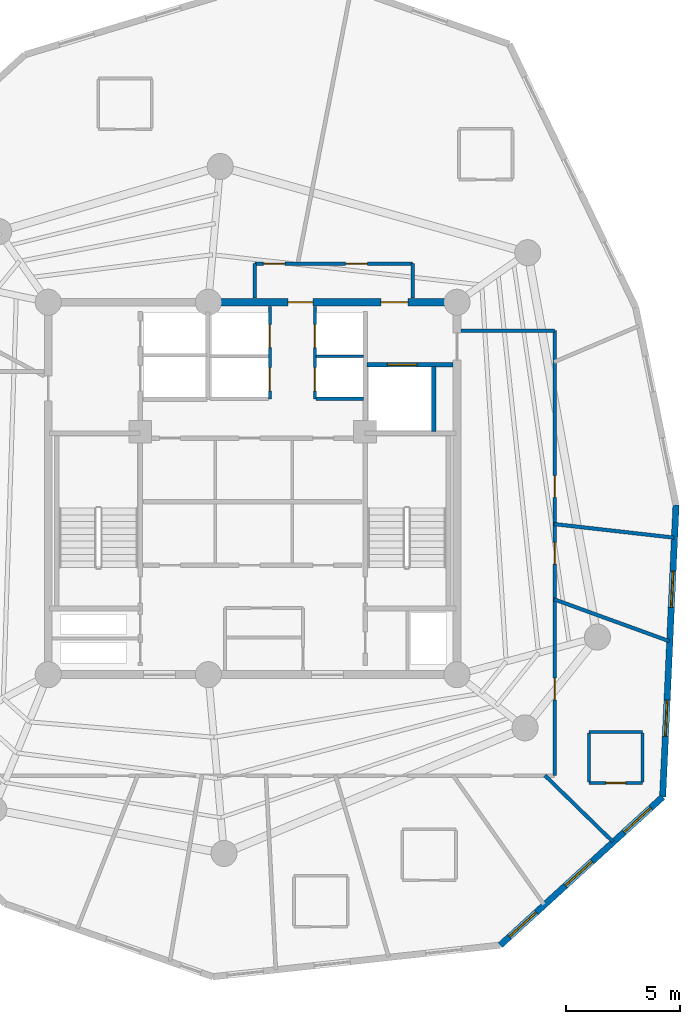
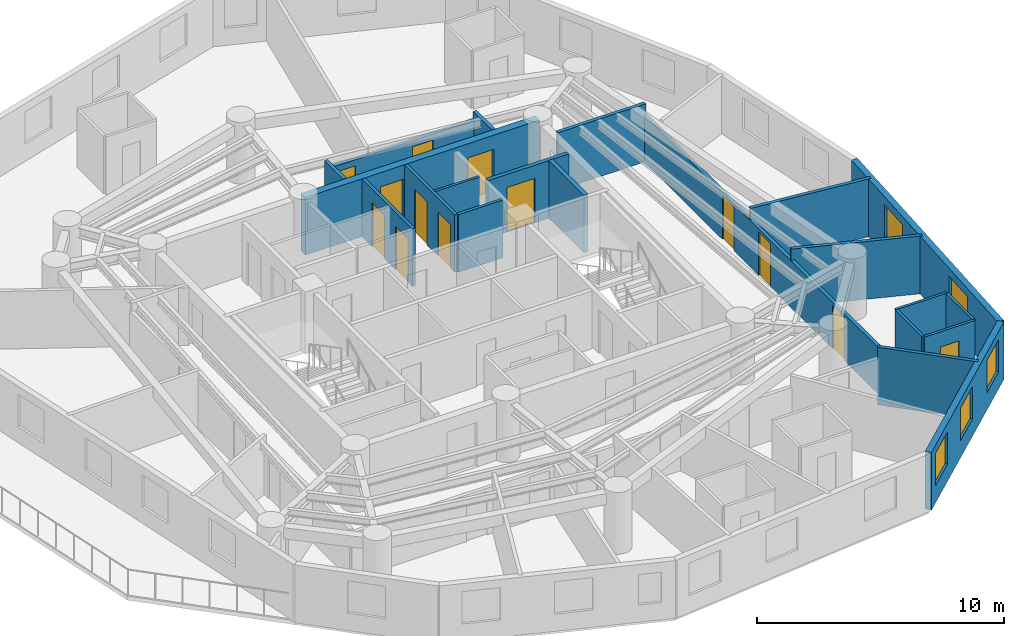
# One storey, part 5 of 8: 21 walls, 13 doors, 5 windows, 18 openings.
"""IFC4 building model written with IfcOpenShell, lengths in metres."""

from ifc_helpers import new_model, si_unit, direction, frame, frame_2d, origin, origin_with_axes, place, context, subcontext, project, spatial, rectangle, extrude, source, transform, mapped, material, layer, layer_set, type_object, element, fill, save


model = new_model("IFC4")

# Units and contexts
model_context = context("Model", 3, precision=1e-05, world=origin(), true_north=direction((0.0, 1.0)))
body_context = subcontext(model_context, "Body", "Model", "MODEL_VIEW")
ifc_project = project(units=[si_unit("LENGTHUNIT", "METRE"), si_unit("AREAUNIT", "SQUARE_METRE"), si_unit("VOLUMEUNIT", "CUBIC_METRE"), si_unit("PLANEANGLEUNIT", "RADIAN"), si_unit("MASSUNIT", "GRAM", prefix="KILO")], contexts=[model_context])

# Site, building, storey
site_placement = place(None, origin())
site = spatial("IfcSite", under=ifc_project, at=site_placement, CompositionType="ELEMENT")
building_placement = place(site_placement, origin())
building = spatial("IfcBuilding", under=site, at=building_placement, Name="Karkom Vertical University and Central Library", CompositionType="ELEMENT")
storey_placement = place(building_placement, frame((0.0, 0.0, 216.89990234375)))
storey = spatial("IfcBuildingStorey", under=building, at=storey_placement, Name="L63", CompositionType="ELEMENT", Elevation=216.89990234375)

# Wall, openings, windows
ifc_material_1 = material(Name="Brick-faced precast concrete C45/55", Category="masonry")
ifc_layer_1 = layer(ifc_material_1, 0.280029296875)
ifc_layer_set_1 = layer_set([ifc_layer_1], Name="Brick-faced precast concrete C45/55")
wall_type_1 = type_object("IfcWallType", Name="ENV-WL-BRK-280", PredefinedType="SOLIDWALL", material=ifc_layer_set_1)
wall_1_placement = place(storey_placement, frame((39.4033203125, 6.387939453125, 0.0), z_axis=(0.0, 0.0, 1.0), x_axis=(0.738681440001, 0.674054693774, 0.0)))
wall_1 = element("IfcWall", 1, at=wall_1_placement, inside=storey, type_object=wall_type_1, Name="Level 63 Brick-Faced Precast Facade Wall 04", PredefinedType="SOLIDWALL", context=body_context, shape_type="SweptSolid", body=[
    extrude(rectangle(XDim=9.682373046875, YDim=0.280029296875, at=frame_2d((4.84130859375, 0.0))), origin(), (0.0, 0.0, 1.0), 2.85009765625),
])
opening_1_placement = place(wall_1_placement, frame((0.547607421875, 0.0, 0.85009765625)))
opening_1 = element("IfcOpeningElement", 2, at=opening_1_placement, cuts=wall_1, Name="Opening WN-10", PredefinedType="OPENING", context=body_context, shape_type="SweptSolid", body=[
    extrude(rectangle(XDim=1.60009765625, YDim=1.60009765625, at=frame_2d((0.800048828125, 0.800048828125))), frame((0.0, 0.14990234375, 0.0), z_axis=(0.0, -1.0, 0.0), x_axis=(1.0, 0.0, 0.0)), (0.0, 0.0, 1.0), 0.300048828125),
])
opening_2_placement = place(wall_1_placement, frame((3.884521484375, 0.0, 0.85009765625)))
opening_2 = element("IfcOpeningElement", 3, at=opening_2_placement, cuts=wall_1, Name="Opening WN-10", PredefinedType="OPENING", context=body_context, shape_type="SweptSolid", body=[
    extrude(rectangle(XDim=1.60009765625, YDim=1.60009765625, at=frame_2d((0.800048828125, 0.800048828125))), frame((0.0, 0.14990234375, 0.0), z_axis=(0.0, -1.0, 0.0), x_axis=(1.0, 0.0, 0.0)), (0.0, 0.0, 1.0), 0.300048828125),
])
opening_3_placement = place(wall_1_placement, frame((7.378173828125, 0.0, 0.85009765625)))
opening_3 = element("IfcOpeningElement", 4, at=opening_3_placement, cuts=wall_1, Name="Opening WN-10", PredefinedType="OPENING", context=body_context, shape_type="SweptSolid", body=[
    extrude(rectangle(XDim=1.60009765625, YDim=1.60009765625, at=frame_2d((0.800048828125, 0.800048828125))), frame((0.0, 0.14990234375, 0.0), z_axis=(0.0, -1.0, 0.0), x_axis=(1.0, 0.0, 0.0)), (0.0, 0.0, 1.0), 0.300048828125),
])
ifc_material_2 = material(Name="Aluminium thermal-break frame with solar-control IGU", Category="aluminium")
window_type = type_object("IfcWindowType", Name="ENV-WIN-WN-10", PartitioningType="SINGLE_PANEL", PredefinedType="WINDOW", material=ifc_material_2)
shared_shape_1 = source(origin_with_axes(), body_context, "Body", "SweptSolid", [
    extrude(rectangle(XDim=1.60009765625, YDim=1.60009765625, at=frame_2d((0.800048828125, 0.800048828125))), frame((0.0, 0.030029296875, 0.0), z_axis=(0.0, -1.0, 0.0), x_axis=(1.0, 0.0, 0.0)), (0.0, 0.0, 1.0), 0.06005859375),
])
window_1_placement = place(opening_1_placement, origin())
window_1 = element("IfcWindow", 5, at=window_1_placement, inside=storey, type_object=window_type, Name="Level 63 Punched Window 4.1", OverallHeight=1.60009765625, OverallWidth=1.60009765625, PartitioningType="SINGLE_PANEL", PredefinedType="WINDOW", context=body_context, shape_type="MappedRepresentation", body=[
    mapped(shared_shape_1, transform((0.0, 0.0, 0.0), scale=1.0)),
])
fill(opening_1, window_1)
window_2_placement = place(opening_2_placement, origin())
window_2 = element("IfcWindow", 6, at=window_2_placement, inside=storey, type_object=window_type, Name="Level 63 Punched Window 4.2", OverallHeight=1.60009765625, OverallWidth=1.60009765625, PartitioningType="SINGLE_PANEL", PredefinedType="WINDOW", context=body_context, shape_type="MappedRepresentation", body=[
    mapped(shared_shape_1, transform((0.0, 0.0, 0.0), scale=1.0)),
])
fill(opening_2, window_2)
window_3_placement = place(opening_3_placement, origin())
window_3 = element("IfcWindow", 7, at=window_3_placement, inside=storey, type_object=window_type, Name="Level 63 Punched Window 4.3", OverallHeight=1.60009765625, OverallWidth=1.60009765625, PartitioningType="SINGLE_PANEL", PredefinedType="WINDOW", context=body_context, shape_type="MappedRepresentation", body=[
    mapped(shared_shape_1, transform((0.0, 0.0, 0.0), scale=1.0)),
])
fill(opening_3, window_3)

wall_2_placement = place(storey_placement, frame((46.555419921875, 12.914306640625, 0.0), z_axis=(0.0, 0.0, 1.0), x_axis=(0.045779275431, 0.998951579378, 0.0)))
wall_2 = element("IfcWall", 8, at=wall_2_placement, inside=storey, type_object=wall_type_1, Name="Level 63 Brick-Faced Precast Facade Wall 05", PredefinedType="SOLIDWALL", context=body_context, shape_type="SweptSolid", body=[
    extrude(rectangle(XDim=12.873779296875, YDim=0.280029296875, at=frame_2d((6.43701171875, 0.0))), origin(), (0.0, 0.0, 1.0), 2.85009765625),
])
opening_4_placement = place(wall_2_placement, frame((2.67041015625, 0.0, 0.85009765625)))
opening_4 = element("IfcOpeningElement", 9, at=opening_4_placement, cuts=wall_2, Name="Opening WN-10", PredefinedType="OPENING", context=body_context, shape_type="SweptSolid", body=[
    extrude(rectangle(XDim=1.60009765625, YDim=1.60009765625, at=frame_2d((0.800048828125, 0.800048828125))), frame((0.0, 0.14990234375, 0.0), z_axis=(0.0, -1.0, 0.0), x_axis=(1.0, 0.0, 0.0)), (0.0, 0.0, 1.0), 0.300048828125),
])
opening_5_placement = place(wall_2_placement, frame((8.356689453125, 0.0, 0.85009765625)))
opening_5 = element("IfcOpeningElement", 10, at=opening_5_placement, cuts=wall_2, Name="Opening WN-10", PredefinedType="OPENING", context=body_context, shape_type="SweptSolid", body=[
    extrude(rectangle(XDim=1.60009765625, YDim=1.60009765625, at=frame_2d((0.800048828125, 0.800048828125))), frame((0.0, 0.14990234375, 0.0), z_axis=(0.0, -1.0, 0.0), x_axis=(1.0, 0.0, 0.0)), (0.0, 0.0, 1.0), 0.300048828125),
])
window_4_placement = place(opening_4_placement, origin())
window_4 = element("IfcWindow", 11, at=window_4_placement, inside=storey, type_object=window_type, Name="Level 63 Punched Window 5.1", OverallHeight=1.60009765625, OverallWidth=1.60009765625, PartitioningType="SINGLE_PANEL", PredefinedType="WINDOW", context=body_context, shape_type="MappedRepresentation", body=[
    mapped(shared_shape_1, transform((0.0, 0.0, 0.0), scale=1.0)),
])
fill(opening_4, window_4)
window_5_placement = place(opening_5_placement, origin())
window_5 = element("IfcWindow", 12, at=window_5_placement, inside=storey, type_object=window_type, Name="Level 63 Punched Window 5.2", OverallHeight=1.60009765625, OverallWidth=1.60009765625, PartitioningType="SINGLE_PANEL", PredefinedType="WINDOW", context=body_context, shape_type="MappedRepresentation", body=[
    mapped(shared_shape_1, transform((0.0, 0.0, 0.0), scale=1.0)),
])
fill(opening_5, window_5)

# Wall, openings, doors
ifc_material_3 = material(Name="Insulated metal-stud drywall 160mm", Category="gypsum")
ifc_layer_2 = layer(ifc_material_3, 0.159912109375)
ifc_layer_set_2 = layer_set([ifc_layer_2], Name="Insulated metal-stud drywall 160mm")
wall_type_2 = type_object("IfcWallType", Name="INT-WL-COR-160", PredefinedType="PARTITIONING", material=ifc_layer_set_2)
wall_3_placement = place(storey_placement, frame((41.800048828125, 33.449951171875, 0.0), z_axis=(0.0, 0.0, 1.0), x_axis=(0.0, -1.0, 0.0)))
wall_3 = element("IfcWall", 13, at=wall_3_placement, inside=storey, type_object=wall_type_2, Name="Level 63 Interior Partition Wall L63-CORW-CW-005", PredefinedType="PARTITIONING", context=body_context, shape_type="SweptSolid", body=[
    extrude(rectangle(XDim=19.599853515625, YDim=0.159912109375, at=frame_2d((9.7998046875, 0.0))), origin(), (0.0, 0.0, 1.0), 2.300048828125),
])
opening_6_placement = place(wall_3_placement, frame((15.30029296875, 0.0, 0.0)))
opening_6 = element("IfcOpeningElement", 14, at=opening_6_placement, cuts=wall_3, Name="Opening FD-RM2", PredefinedType="OPENING", context=body_context, shape_type="SweptSolid", body=[
    extrude(rectangle(XDim=0.9599609375, YDim=2.14990234375, at=frame_2d((0.47998046875, 1.074951171875))), frame((0.0, 0.08984375, 0.0), z_axis=(0.0, -1.0, 0.0), x_axis=(1.0, 0.0, 0.0)), (0.0, 0.0, 1.0), 0.179931640625),
])
opening_7_placement = place(wall_3_placement, frame((9.324951171875, 0.0, 0.0)))
opening_7 = element("IfcOpeningElement", 15, at=opening_7_placement, cuts=wall_3, Name="Opening FD-RM2", PredefinedType="OPENING", context=body_context, shape_type="SweptSolid", body=[
    extrude(rectangle(XDim=0.9599609375, YDim=2.14990234375, at=frame_2d((0.47998046875, 1.074951171875))), frame((0.0, 0.08984375, 0.0), z_axis=(0.0, -1.0, 0.0), x_axis=(1.0, 0.0, 0.0)), (0.0, 0.0, 1.0), 0.179931640625),
])
opening_8_placement = place(wall_3_placement, frame((6.385009765625, 0.0, 0.0)))
opening_8 = element("IfcOpeningElement", 16, at=opening_8_placement, cuts=wall_3, Name="Opening FD-RM2", PredefinedType="OPENING", context=body_context, shape_type="SweptSolid", body=[
    extrude(rectangle(XDim=0.9599609375, YDim=2.14990234375, at=frame_2d((0.47998046875, 1.074951171875))), frame((0.0, 0.08984375, 0.0), z_axis=(0.0, -1.0, 0.0), x_axis=(1.0, 0.0, 0.0)), (0.0, 0.0, 1.0), 0.179931640625),
])
ifc_material_4 = material(Name="Fire-rated oak veneer door", Category="wood")
door_type_1 = type_object("IfcDoorType", Name="INT-DR-FRM2", OperationType="NOTDEFINED", PredefinedType="DOOR", material=ifc_material_4)
shared_shape_2 = source(origin_with_axes(), body_context, "Body", "SweptSolid", [
    extrude(rectangle(XDim=0.9599609375, YDim=2.14990234375, at=frame_2d((0.47998046875, 1.074951171875))), frame((0.0, 0.02490234375, 0.0), z_axis=(0.0, -1.0, 0.0), x_axis=(1.0, 0.0, 0.0)), (0.0, 0.0, 1.0), 0.050048828125),
])
door_1_placement = place(opening_6_placement, origin())
door_1 = element("IfcDoor", 17, at=door_1_placement, inside=storey, type_object=door_type_1, Name="Level 63 Room Entry Door 416", OperationType="SINGLE_SWING_RIGHT", OverallHeight=2.14990234375, OverallWidth=0.9599609375, PredefinedType="DOOR", context=body_context, shape_type="MappedRepresentation", body=[
    mapped(shared_shape_2, transform((0.0, 0.0, 0.0), scale=1.0)),
])
fill(opening_6, door_1)
door_2_placement = place(opening_7_placement, origin())
door_2 = element("IfcDoor", 18, at=door_2_placement, inside=storey, type_object=door_type_1, Name="Level 63 Room Entry Door 309", OperationType="SINGLE_SWING_LEFT", OverallHeight=2.14990234375, OverallWidth=0.9599609375, PredefinedType="DOOR", context=body_context, shape_type="MappedRepresentation", body=[
    mapped(shared_shape_2, transform((0.0, 0.0, 0.0), scale=1.0)),
])
fill(opening_7, door_2)
door_3_placement = place(opening_8_placement, origin())
door_3 = element("IfcDoor", 19, at=door_3_placement, inside=storey, type_object=door_type_1, Name="Level 63 Room Entry Door 310", OperationType="SINGLE_SWING_RIGHT", OverallHeight=2.14990234375, OverallWidth=0.9599609375, PredefinedType="DOOR", context=body_context, shape_type="MappedRepresentation", body=[
    mapped(shared_shape_2, transform((0.0, 0.0, 0.0), scale=1.0)),
])
fill(opening_8, door_3)

wall_4_placement = place(storey_placement, frame((28.60009765625, 36.39990234375, 0.0), z_axis=(0.0, 0.0, 1.0), x_axis=(1.0, 0.0, 0.0)))
wall_4 = element("IfcWall", 20, at=wall_4_placement, inside=storey, type_object=wall_type_2, Name="Level 63 Interior Partition Wall L63-CORW-CW-007", PredefinedType="PARTITIONING", context=body_context, shape_type="SweptSolid", body=[
    extrude(rectangle(XDim=6.949951171875, YDim=0.159912109375, at=frame_2d((3.47509765625, 0.0))), origin(), (0.0, 0.0, 1.0), 2.4501953125),
])
opening_9_placement = place(wall_4_placement, frame((3.990478515625, 0.0, 0.0)))
opening_9 = element("IfcOpeningElement", 21, at=opening_9_placement, cuts=wall_4, Name="Opening FD-RM2", PredefinedType="OPENING", context=body_context, shape_type="SweptSolid", body=[
    extrude(rectangle(XDim=0.9599609375, YDim=2.14990234375, at=frame_2d((0.47998046875, 1.074951171875))), frame((0.0, 0.08984375, 0.0), z_axis=(0.0, -1.0, 0.0), x_axis=(1.0, 0.0, 0.0)), (0.0, 0.0, 1.0), 0.179931640625),
])
opening_10_placement = place(wall_4_placement, frame((0.37451171875, 0.0, 0.0)))
opening_10 = element("IfcOpeningElement", 22, at=opening_10_placement, cuts=wall_4, Name="Opening FD-RM2", PredefinedType="OPENING", context=body_context, shape_type="SweptSolid", body=[
    extrude(rectangle(XDim=0.9599609375, YDim=2.14990234375, at=frame_2d((0.47998046875, 1.074951171875))), frame((0.0, 0.08984375, 0.0), z_axis=(0.0, -1.0, 0.0), x_axis=(1.0, 0.0, 0.0)), (0.0, 0.0, 1.0), 0.179931640625),
])
door_4_placement = place(opening_9_placement, origin())
door_4 = element("IfcDoor", 23, at=door_4_placement, inside=storey, type_object=door_type_1, Name="Level 63 Room Entry Door 422", OperationType="SINGLE_SWING_RIGHT", OverallHeight=2.14990234375, OverallWidth=0.9599609375, PredefinedType="DOOR", context=body_context, shape_type="MappedRepresentation", body=[
    mapped(shared_shape_2, transform((0.0, 0.0, 0.0), scale=1.0)),
])
fill(opening_9, door_4)
door_5_placement = place(opening_10_placement, origin())
door_5 = element("IfcDoor", 24, at=door_5_placement, inside=storey, type_object=door_type_1, Name="Level 63 Room Entry Door 424", OperationType="SINGLE_SWING_RIGHT", OverallHeight=2.14990234375, OverallWidth=0.9599609375, PredefinedType="DOOR", context=body_context, shape_type="MappedRepresentation", body=[
    mapped(shared_shape_2, transform((0.0, 0.0, 0.0), scale=1.0)),
])
fill(opening_10, door_5)

# Walls
wall_5_placement = place(storey_placement, frame((41.771728515625, 21.618896484375, 0.0), z_axis=(0.0, 0.0, 1.0), x_axis=(0.939996769693, -0.341183342158, 0.0)))
element("IfcWall", 25, at=wall_5_placement, inside=storey, type_object=wall_type_2, Name="Level 63 Interior Partition Wall L63-PW-012", PredefinedType="PARTITIONING", context=body_context, shape_type="SweptSolid", body=[
    extrude(rectangle(XDim=5.39404296875, YDim=0.159912109375, at=frame_2d((2.697021484375, 0.0))), origin(), (0.0, 0.0, 1.0), 2.85009765625),
])
wall_6_placement = place(storey_placement, frame((41.770263671875, 24.93359375, 0.0), z_axis=(0.0, 0.0, 1.0), x_axis=(0.993626894102, -0.112719099165, 0.0)))
element("IfcWall", 26, at=wall_6_placement, inside=storey, type_object=wall_type_2, Name="Level 63 Interior Partition Wall L63-PW-013", PredefinedType="PARTITIONING", context=body_context, shape_type="SweptSolid", body=[
    extrude(rectangle(XDim=5.3173828125, YDim=0.159912109375, at=frame_2d((2.65869140625, 0.0))), origin(), (0.0, 0.0, 1.0), 2.85009765625),
])
wall_7_placement = place(storey_placement, frame((41.36376953125, 13.870849609375, 0.0), z_axis=(0.0, 0.0, 1.0), x_axis=(0.715911992073, -0.698190532453, 0.0)))
element("IfcWall", 27, at=wall_7_placement, inside=storey, type_object=wall_type_2, Name="Level 63 Interior Partition Wall L63-PW-011", PredefinedType="PARTITIONING", context=body_context, shape_type="SweptSolid", body=[
    extrude(rectangle(XDim=4.18798828125, YDim=0.159912109375, at=frame_2d((2.093994140625, 0.0))), origin(), (0.0, 0.0, 1.0), 2.85009765625),
])
wall_8_placement = place(storey_placement, frame((37.681884765625, 33.449951171875, 0.0), z_axis=(0.0, 0.0, 1.0), x_axis=(1.0, 0.0, 0.0)))
element("IfcWall", 28, at=wall_8_placement, inside=storey, type_object=wall_type_2, Name="Level 63 Interior Partition Wall L63-CORW-CW-004", PredefinedType="PARTITIONING", context=body_context, shape_type="SweptSolid", body=[
    extrude(rectangle(XDim=4.1181640625, YDim=0.159912109375, at=frame_2d((2.05908203125, 0.0))), origin(), (0.0, 0.0, 1.0), 2.85009765625),
])
for number, where, z_axis, x_axis, name in (
    (29, (28.60009765625, 34.882080078125, 0.0), (0.0, 0.0, 1.0), (0.0, 1.0, 0.0), "Level 63 Interior Partition Wall L63-CORW-CW-006"),
    (30, (35.550048828125, 36.39990234375, 0.0), (0.0, 0.0, 1.0), (0.0, -1.0, 0.0), "Level 63 Interior Partition Wall L63-CORW-CW-008"),
):
    element("IfcWall", number, at=place(storey_placement, frame(where, z_axis=z_axis, x_axis=x_axis)), inside=storey, type_object=wall_type_2, Name=name, PredefinedType="PARTITIONING", context=body_context, shape_type="SweptSolid", body=[
        extrude(rectangle(XDim=1.517822265625, YDim=0.159912109375, at=frame_2d((0.7587890625, 0.0))), origin(), (0.0, 0.0, 1.0), 2.85009765625),
    ])

# Wall, opening, door
ifc_material_5 = material(Name="Moisture-resistant drywall 120mm", Category="gypsum")
ifc_layer_3 = layer(ifc_material_5, 0.1201171875)
ifc_layer_set_3 = layer_set([ifc_layer_3], Name="Moisture-resistant drywall 120mm")
wall_type_3 = type_object("IfcWallType", Name="INT-WL-INT-120F", PredefinedType="PARTITIONING", material=ifc_layer_set_3)
wall_9_placement = place(storey_placement, frame((43.30908203125, 13.532958984375, 0.0), z_axis=(0.0, 0.0, 1.0), x_axis=(1.0, 0.0, 0.0)))
wall_9 = element("IfcWall", 31, at=wall_9_placement, inside=storey, type_object=wall_type_3, Name="Level 63 Interior Partition Wall L63-ENS-48-S", PredefinedType="PARTITIONING", context=body_context, shape_type="SweptSolid", body=[
    extrude(rectangle(XDim=2.35986328125, YDim=0.1201171875, at=frame_2d((1.179931640625, 0.0))), origin(), (0.0, 0.0, 1.0), 2.85009765625),
])
opening_11_placement = place(wall_9_placement, frame((0.75, 0.0, 0.0)))
opening_11 = element("IfcOpeningElement", 32, at=opening_11_placement, cuts=wall_9, Name="Opening D-BATH", PredefinedType="OPENING", context=body_context, shape_type="SweptSolid", body=[
    extrude(rectangle(XDim=0.860107421875, YDim=2.10009765625, at=frame_2d((0.43017578125, 1.050048828125))), frame((0.0, 0.070068359375, 0.0), z_axis=(0.0, -1.0, 0.0), x_axis=(1.0, 0.0, 0.0)), (0.0, 0.0, 1.0), 0.14013671875),
])
ifc_material_6 = material(Name="Moisture-resistant oak door", Category="wood")
door_type_2 = type_object("IfcDoorType", Name="INT-DR-BATH", OperationType="NOTDEFINED", PredefinedType="DOOR", material=ifc_material_6)
shared_shape_3 = source(origin_with_axes(), body_context, "Body", "SweptSolid", [
    extrude(rectangle(XDim=0.860107421875, YDim=2.10009765625, at=frame_2d((0.43017578125, 1.050048828125))), frame((0.0, 0.02490234375, 0.0), z_axis=(0.0, -1.0, 0.0), x_axis=(1.0, 0.0, 0.0)), (0.0, 0.0, 1.0), 0.050048828125),
])
door_6_placement = place(opening_11_placement, origin())
door_6 = element("IfcDoor", 33, at=door_6_placement, inside=storey, type_object=door_type_2, Name="Level 63 En-Suite Bathroom Door 48", OperationType="SINGLE_SWING_LEFT", OverallHeight=2.10009765625, OverallWidth=0.860107421875, PredefinedType="DOOR", context=body_context, shape_type="MappedRepresentation", body=[
    mapped(shared_shape_3, transform((0.0, 0.0, 0.0), scale=1.0)),
])
fill(opening_11, door_6)

# Walls
wall_10_placement = place(storey_placement, frame((45.6689453125, 15.77294921875, 0.0), z_axis=(0.0, 0.0, 1.0), x_axis=(-1.0, 0.0, 0.0)))
element("IfcWall", 34, at=wall_10_placement, inside=storey, type_object=wall_type_3, Name="Level 63 Interior Partition Wall L63-ENS-48-N", PredefinedType="PARTITIONING", context=body_context, shape_type="SweptSolid", body=[
    extrude(rectangle(XDim=2.35986328125, YDim=0.1201171875, at=frame_2d((1.179931640625, 0.0))), origin(), (0.0, 0.0, 1.0), 2.85009765625),
])
for number, where, z_axis, x_axis, name in (
    (35, (45.6689453125, 13.5830078125, 0.0), (0.0, 0.0, 1.0), (0.0, 1.0, 0.0), "Level 63 Interior Partition Wall L63-ENS-48-E"),
    (36, (43.30908203125, 15.722900390625, 0.0), (0.0, 0.0, 1.0), (0.0, -1.0, 0.0), "Level 63 Interior Partition Wall L63-ENS-48-W"),
):
    element("IfcWall", number, at=place(storey_placement, frame(where, z_axis=z_axis, x_axis=x_axis)), inside=storey, type_object=wall_type_3, Name=name, PredefinedType="PARTITIONING", context=body_context, shape_type="SweptSolid", body=[
        extrude(rectangle(XDim=2.139892578125, YDim=0.1201171875, at=frame_2d((1.06982421875, 0.0))), origin(), (0.0, 0.0, 1.0), 2.85009765625),
    ])
ifc_layer_4 = layer(ifc_material_5, 0.1201171875)
ifc_layer_set_4 = layer_set([ifc_layer_4], Name="Moisture-resistant drywall 120mm")
wall_type_4 = type_object("IfcWallType", Name="INT-WL-INT-120H", PredefinedType="PARTITIONING", material=ifc_layer_set_4)
wall_11_placement = place(storey_placement, frame((31.300048828125, 32.320068359375, 0.0), z_axis=(0.0, 0.0, 1.0), x_axis=(1.0, 0.0, 0.0)))
element("IfcWall", 37, at=wall_11_placement, inside=storey, type_object=wall_type_4, Name="Level 63 Interior Partition Wall L63-CW-PH-ME", PredefinedType="PARTITIONING", context=body_context, shape_type="SweptSolid", body=[
    extrude(rectangle(XDim=2.074951171875, YDim=0.1201171875, at=frame_2d((1.03759765625, 0.0))), origin(), (0.0, 0.0, 1.0), 2.85009765625),
])

# Wall, openings, doors
ifc_material_7 = material(Name="Metal-stud gypsum partition 140mm", Category="gypsum")
ifc_layer_5 = layer(ifc_material_7, 0.139892578125)
ifc_layer_set_5 = layer_set([ifc_layer_5], Name="Metal-stud gypsum partition 140mm")
wall_type_5 = type_object("IfcWallType", Name="INT-WL-SUB-140H", PredefinedType="PARTITIONING", material=ifc_layer_set_5)
wall_12_placement = place(storey_placement, frame((29.260009765625, 30.449951171875, 0.0), z_axis=(0.0, 0.0, 1.0), x_axis=(0.0, 1.0, 0.0)))
wall_12 = element("IfcWall", 38, at=wall_12_placement, inside=storey, type_object=wall_type_5, Name="Level 63 Interior Partition Wall L63-CW-PH-W", PredefinedType="PARTITIONING", context=body_context, shape_type="SweptSolid", body=[
    extrude(rectangle(XDim=4.068115234375, YDim=0.139892578125, at=frame_2d((2.0341796875, 0.0))), origin(), (0.0, 0.0, 1.0), 2.85009765625),
])
opening_12_placement = place(wall_12_placement, frame((0.35009765625, 0.0, 0.0)))
opening_12 = element("IfcOpeningElement", 39, at=opening_12_placement, cuts=wall_12, Name="Opening LD-PH", PredefinedType="OPENING", context=body_context, shape_type="SweptSolid", body=[
    extrude(rectangle(XDim=1.02001953125, YDim=2.14990234375, at=frame_2d((0.510009765625, 1.074951171875))), frame((0.0, 0.080078125, 0.0), z_axis=(0.0, -1.0, 0.0), x_axis=(1.0, 0.0, 0.0)), (0.0, 0.0, 1.0), 0.159912109375),
])
opening_13_placement = place(wall_12_placement, frame((2.25, 0.0, 0.0)))
opening_13 = element("IfcOpeningElement", 40, at=opening_13_placement, cuts=wall_12, Name="Opening LD-PH", PredefinedType="OPENING", context=body_context, shape_type="SweptSolid", body=[
    extrude(rectangle(XDim=1.02001953125, YDim=2.14990234375, at=frame_2d((0.510009765625, 1.074951171875))), frame((0.0, 0.080078125, 0.0), z_axis=(0.0, -1.0, 0.0), x_axis=(1.0, 0.0, 0.0)), (0.0, 0.0, 1.0), 0.159912109375),
])
ifc_material_8 = material(Name="Brushed stainless-steel landing door", Category="steel")
door_type_3 = type_object("IfcDoorType", Name="INT-DR-LD-PH", OperationType="SLIDING_TO_LEFT", PredefinedType="DOOR", material=ifc_material_8)
shared_shape_4 = source(origin_with_axes(), body_context, "Body", "SweptSolid", [
    extrude(rectangle(XDim=1.02001953125, YDim=2.14990234375, at=frame_2d((0.510009765625, 1.074951171875))), frame((0.0, 0.02490234375, 0.0), z_axis=(0.0, -1.0, 0.0), x_axis=(1.0, 0.0, 0.0)), (0.0, 0.0, 1.0), 0.050048828125),
])
door_7_placement = place(opening_12_placement, origin())
door_7 = element("IfcDoor", 41, at=door_7_placement, inside=storey, type_object=door_type_3, Name="Level 63 Lift PH-1 Landing Door", OperationType="SLIDING_TO_LEFT", OverallHeight=2.14990234375, OverallWidth=1.02001953125, PredefinedType="DOOR", context=body_context, shape_type="MappedRepresentation", body=[
    mapped(shared_shape_4, transform((0.0, 0.0, 0.0), scale=1.0)),
])
fill(opening_12, door_7)
door_8_placement = place(opening_13_placement, origin())
door_8 = element("IfcDoor", 42, at=door_8_placement, inside=storey, type_object=door_type_3, Name="Level 63 Lift PH-2 Landing Door", OperationType="SLIDING_TO_LEFT", OverallHeight=2.14990234375, OverallWidth=1.02001953125, PredefinedType="DOOR", context=body_context, shape_type="MappedRepresentation", body=[
    mapped(shared_shape_4, transform((0.0, 0.0, 0.0), scale=1.0)),
])
fill(opening_13, door_8)

wall_13_placement = place(storey_placement, frame((31.239990234375, 30.449951171875, 0.0), z_axis=(0.0, 0.0, 1.0), x_axis=(0.0, 1.0, 0.0)))
wall_13 = element("IfcWall", 43, at=wall_13_placement, inside=storey, type_object=wall_type_5, Name="Level 63 Interior Partition Wall L63-CW-PH-E", PredefinedType="PARTITIONING", context=body_context, shape_type="SweptSolid", body=[
    extrude(rectangle(XDim=4.068115234375, YDim=0.139892578125, at=frame_2d((2.0341796875, 0.0))), origin(), (0.0, 0.0, 1.0), 2.85009765625),
])
opening_14_placement = place(wall_13_placement, frame((0.35009765625, 0.0, 0.0)))
opening_14 = element("IfcOpeningElement", 44, at=opening_14_placement, cuts=wall_13, Name="Opening LD-PH", PredefinedType="OPENING", context=body_context, shape_type="SweptSolid", body=[
    extrude(rectangle(XDim=1.02001953125, YDim=2.14990234375, at=frame_2d((0.510009765625, 1.074951171875))), frame((0.0, 0.080078125, 0.0), z_axis=(0.0, -1.0, 0.0), x_axis=(1.0, 0.0, 0.0)), (0.0, 0.0, 1.0), 0.159912109375),
])
opening_15_placement = place(wall_13_placement, frame((2.25, 0.0, 0.0)))
opening_15 = element("IfcOpeningElement", 45, at=opening_15_placement, cuts=wall_13, Name="Opening LD-PH", PredefinedType="OPENING", context=body_context, shape_type="SweptSolid", body=[
    extrude(rectangle(XDim=1.02001953125, YDim=2.14990234375, at=frame_2d((0.510009765625, 1.074951171875))), frame((0.0, 0.080078125, 0.0), z_axis=(0.0, -1.0, 0.0), x_axis=(1.0, 0.0, 0.0)), (0.0, 0.0, 1.0), 0.159912109375),
])
door_9_placement = place(opening_14_placement, origin())
door_9 = element("IfcDoor", 46, at=door_9_placement, inside=storey, type_object=door_type_3, Name="Level 63 Lift PH-3 Landing Door", OperationType="SLIDING_TO_LEFT", OverallHeight=2.14990234375, OverallWidth=1.02001953125, PredefinedType="DOOR", context=body_context, shape_type="MappedRepresentation", body=[
    mapped(shared_shape_4, transform((0.0, 0.0, 0.0), scale=1.0)),
])
fill(opening_14, door_9)
door_10_placement = place(opening_15_placement, origin())
door_10 = element("IfcDoor", 47, at=door_10_placement, inside=storey, type_object=door_type_3, Name="Level 63 Lift PH-4 Landing Door", OperationType="SLIDING_TO_LEFT", OverallHeight=2.14990234375, OverallWidth=1.02001953125, PredefinedType="DOOR", context=body_context, shape_type="MappedRepresentation", body=[
    mapped(shared_shape_4, transform((0.0, 0.0, 0.0), scale=1.0)),
])
fill(opening_15, door_10)

# Wall
wall_14_placement = place(storey_placement, frame((31.300048828125, 30.449951171875, 0.0), z_axis=(0.0, 0.0, 1.0), x_axis=(1.0, 0.0, 0.0)))
element("IfcWall", 48, at=wall_14_placement, inside=storey, type_object=wall_type_5, Name="Level 63 Interior Partition Wall L63-CW-PH-S2", PredefinedType="PARTITIONING", context=body_context, shape_type="SweptSolid", body=[
    extrude(rectangle(XDim=2.074951171875, YDim=0.139892578125, at=frame_2d((1.03759765625, 0.0))), origin(), (0.0, 0.0, 1.0), 2.85009765625),
])

# Wall, opening, door
ifc_material_9 = material(Name="Twin-stud acoustic drywall 180mm", Category="gypsum")
ifc_layer_6 = layer(ifc_material_9, 0.179931640625)
ifc_layer_set_6 = layer_set([ifc_layer_6], Name="Twin-stud acoustic drywall 180mm")
wall_type_6 = type_object("IfcWallType", Name="INT-WL-TEN-180F", PredefinedType="PARTITIONING", material=ifc_layer_set_6)
wall_15_placement = place(storey_placement, frame((33.534912109375, 31.949951171875, 0.0), z_axis=(0.0, 0.0, 1.0), x_axis=(1.0, 0.0, 0.0)))
wall_15 = element("IfcWall", 49, at=wall_15_placement, inside=storey, type_object=wall_type_6, Name="Level 63 Interior Partition Wall L63-CW-SVL-N", PredefinedType="PARTITIONING", context=body_context, shape_type="SweptSolid", body=[
    extrude(rectangle(XDim=3.783935546875, YDim=0.179931640625, at=frame_2d((1.89208984375, 0.0))), origin(), (0.0, 0.0, 1.0), 2.85009765625),
])
opening_16_placement = place(wall_15_placement, frame((0.89990234375, 0.0, 0.0)))
opening_16 = element("IfcOpeningElement", 50, at=opening_16_placement, cuts=wall_15, Name="Opening LD-SV1", PredefinedType="OPENING", context=body_context, shape_type="SweptSolid", body=[
    extrude(rectangle(XDim=1.300048828125, YDim=2.199951171875, at=frame_2d((0.64990234375, 1.10009765625))), frame((0.0, 0.10009765625, 0.0), z_axis=(0.0, -1.0, 0.0), x_axis=(1.0, 0.0, 0.0)), (0.0, 0.0, 1.0), 0.199951171875),
])
door_type_4 = type_object("IfcDoorType", Name="INT-DR-LD-SV1", OperationType="SLIDING_TO_LEFT", PredefinedType="DOOR", material=ifc_material_8)
shared_shape_5 = source(origin_with_axes(), body_context, "Body", "SweptSolid", [
    extrude(rectangle(XDim=1.300048828125, YDim=2.199951171875, at=frame_2d((0.64990234375, 1.10009765625))), frame((0.0, 0.02490234375, 0.0), z_axis=(0.0, -1.0, 0.0), x_axis=(1.0, 0.0, 0.0)), (0.0, 0.0, 1.0), 0.050048828125),
])
door_11_placement = place(opening_16_placement, origin())
door_11 = element("IfcDoor", 51, at=door_11_placement, inside=storey, type_object=door_type_4, Name="Level 63 Service Lift Landing Door LD-SV1", OperationType="SLIDING_TO_LEFT", OverallHeight=2.199951171875, OverallWidth=1.300048828125, PredefinedType="DOOR", context=body_context, shape_type="MappedRepresentation", body=[
    mapped(shared_shape_5, transform((0.0, 0.0, 0.0), scale=1.0)),
])
fill(opening_16, door_11)

# Wall, openings, doors
ifc_material_10 = material(Name="Concrete C45/55", Category="concrete")
ifc_layer_7 = layer(ifc_material_10, 0.35009765625)
ifc_layer_set_7 = layer_set([ifc_layer_7], Name="Concrete C45/55")
wall_type_7 = type_object("IfcWallType", Name="STR-WL-CW-350", PredefinedType="SHEAR", material=ifc_layer_set_7)
wall_16_placement = place(storey_placement, frame((37.5, 34.699951171875, 0.0), z_axis=(0.0, 0.0, 1.0), x_axis=(-1.0, 0.0, 0.0)))
wall_16 = element("IfcWall", 52, at=wall_16_placement, inside=storey, type_object=wall_type_7, Name="Level 63 Central Core Shear Wall NW1", PredefinedType="SHEAR", context=body_context, shape_type="SweptSolid", body=[
    extrude(rectangle(XDim=10.949951171875, YDim=0.35009765625, at=frame_2d((5.47509765625, 0.0))), origin(), (0.0, 0.0, 1.0), 2.85009765625),
])
opening_17_placement = place(wall_16_placement, frame((2.14990234375, 0.0, 0.0)))
opening_17 = element("IfcOpeningElement", 53, at=opening_17_placement, cuts=wall_16, Name="Opening FD-SUB1", PredefinedType="OPENING", context=body_context, shape_type="SweptSolid", body=[
    extrude(rectangle(XDim=1.199951171875, YDim=2.14990234375, at=frame_2d((0.60009765625, 1.074951171875))), frame((0.0, 0.18505859375, 0.0), z_axis=(0.0, -1.0, 0.0), x_axis=(1.0, 0.0, 0.0)), (0.0, 0.0, 1.0), 0.3701171875),
])
opening_18_placement = place(wall_16_placement, frame((6.35009765625, 0.0, 0.0)))
opening_18 = element("IfcOpeningElement", 54, at=opening_18_placement, cuts=wall_16, Name="Opening FD-FFL", PredefinedType="OPENING", context=body_context, shape_type="SweptSolid", body=[
    extrude(rectangle(XDim=1.10009765625, YDim=2.14990234375, at=frame_2d((0.550048828125, 1.074951171875))), frame((0.0, 0.18505859375, 0.0), z_axis=(0.0, -1.0, 0.0), x_axis=(1.0, 0.0, 0.0)), (0.0, 0.0, 1.0), 0.3701171875),
])
ifc_material_11 = material(Name="Painted steel smoke-seal fire door", Category="steel")
door_type_5 = type_object("IfcDoorType", Name="INT-DR-FFL", OperationType="NOTDEFINED", PredefinedType="DOOR", material=ifc_material_11)
shared_shape_6 = source(origin_with_axes(), body_context, "Body", "SweptSolid", [
    extrude(rectangle(XDim=1.10009765625, YDim=2.14990234375, at=frame_2d((0.550048828125, 1.074951171875))), frame((0.0, 0.02490234375, 0.0), z_axis=(0.0, -1.0, 0.0), x_axis=(1.0, 0.0, 0.0)), (0.0, 0.0, 1.0), 0.050048828125),
])
door_12_placement = place(opening_18_placement, origin())
door_12 = element("IfcDoor", 55, at=door_12_placement, inside=storey, type_object=door_type_5, Name="Level 63 North Core Lobby Exit Door", OperationType="SINGLE_SWING_RIGHT", OverallHeight=2.14990234375, OverallWidth=1.10009765625, PredefinedType="DOOR", context=body_context, shape_type="MappedRepresentation", body=[
    mapped(shared_shape_6, transform((0.0, 0.0, 0.0), scale=1.0)),
])
fill(opening_18, door_12)
ifc_material_12 = material(Name="Painted steel fire door", Category="steel")
door_type_6 = type_object("IfcDoorType", Name="INT-DR-SUB1", OperationType="NOTDEFINED", PredefinedType="DOOR", material=ifc_material_12)
shared_shape_7 = source(origin_with_axes(), body_context, "Body", "SweptSolid", [
    extrude(rectangle(XDim=1.199951171875, YDim=2.14990234375, at=frame_2d((0.60009765625, 1.074951171875))), frame((0.0, 0.02490234375, 0.0), z_axis=(0.0, -1.0, 0.0), x_axis=(1.0, 0.0, 0.0)), (0.0, 0.0, 1.0), 0.050048828125),
])
door_13_placement = place(opening_17_placement, origin())
door_13 = element("IfcDoor", 56, at=door_13_placement, inside=storey, type_object=door_type_6, Name="Level 63 Service Lobby Fire Door", OperationType="SINGLE_SWING_RIGHT", OverallHeight=2.14990234375, OverallWidth=1.199951171875, PredefinedType="DOOR", context=body_context, shape_type="MappedRepresentation", body=[
    mapped(shared_shape_7, transform((0.0, 0.0, 0.0), scale=1.0)),
])
fill(opening_17, door_13)

# Wall
ifc_layer_8 = layer(ifc_material_10, 0.199951171875)
ifc_layer_set_8 = layer_set([ifc_layer_8], Name="Concrete C45/55")
wall_type_8 = type_object("IfcWallType", Name="STR-WL-ST-200", PredefinedType="SHEAR", material=ifc_layer_set_8)
wall_17_placement = place(storey_placement, frame((36.47998046875, 29.02001953125, 0.0), z_axis=(0.0, 0.0, 1.0), x_axis=(0.0, 1.0, 0.0)))
element("IfcWall", 57, at=wall_17_placement, inside=storey, type_object=wall_type_8, Name="Level 63 Core Shaft Wall L63-CW-SVL-E", PredefinedType="SHEAR", context=body_context, shape_type="SweptSolid", body=[
    extrude(rectangle(XDim=2.85986328125, YDim=0.199951171875, at=frame_2d((1.429931640625, 0.0))), origin(), (0.0, 0.0, 1.0), 2.85009765625),
])

save(model, "model.ifc")
